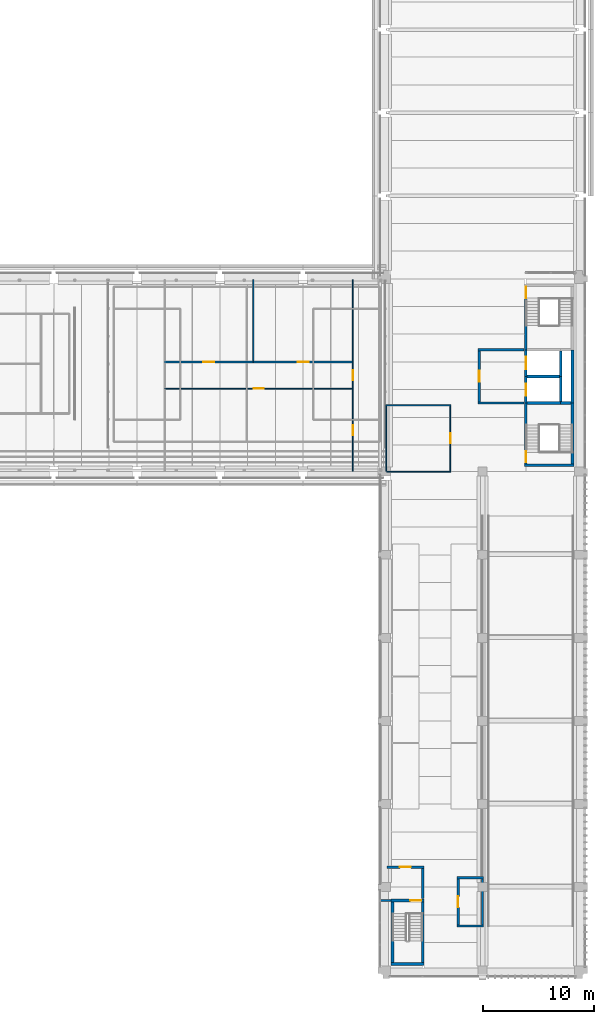
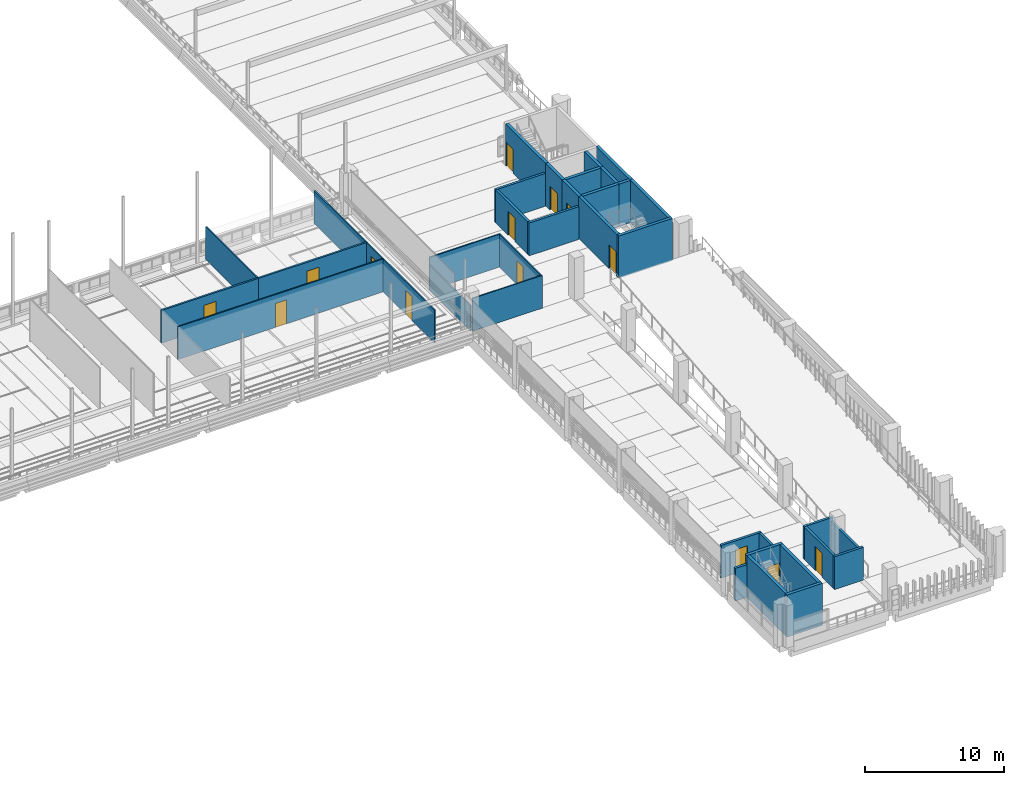
# One storey, part 45 of 62: 37 walls, 14 doors, 14 openings.
"""IFC4 building model written with IfcOpenShell, lengths in metres."""

from ifc_helpers import new_model, si_unit, direction, frame, frame_2d, origin, place, context, subcontext, project, spatial, rectangle, extrude, material, layer, layer_set, type_object, element, fill, save


model = new_model("IFC4")

# Units and contexts
model_context = context("Model", 3, precision=1e-05, world=origin(), true_north=direction((0.0, 1.0)))
body_context = subcontext(model_context, "Body", "Model", "MODEL_VIEW")
ifc_project = project(units=[si_unit("LENGTHUNIT", "METRE"), si_unit("AREAUNIT", "SQUARE_METRE"), si_unit("VOLUMEUNIT", "CUBIC_METRE"), si_unit("PLANEANGLEUNIT", "RADIAN"), si_unit("MASSUNIT", "GRAM", prefix="KILO")], contexts=[model_context])

# Site, building, storey
site_placement = place(None, origin())
site = spatial("IfcSite", under=ifc_project, at=site_placement, CompositionType="ELEMENT")
building_placement = place(site_placement, origin())
building = spatial("IfcBuilding", under=site, at=building_placement, Name="Cour d'Honneur Mobility Palace", CompositionType="ELEMENT")
storey_placement = place(building_placement, frame((0.0, 0.0, 19.300048828125)))
storey = spatial("IfcBuildingStorey", under=building, at=storey_placement, Name="L05", CompositionType="ELEMENT", Elevation=19.300048828125)

# Wall
ifc_material_1 = material(Name="Concrete C50", Category="concrete")
ifc_layer_1 = layer(ifc_material_1, 0.25)
ifc_layer_set_1 = layer_set([ifc_layer_1], Name="Concrete C50")
wall_type_1 = type_object("IfcWallType", Name="Lift shaft wall 250", PredefinedType="SHEAR", material=ifc_layer_set_1)
wall_1_placement = place(storey_placement, frame((157.625, 53.60009765625, 0.0), z_axis=(0.0, 0.0, 1.0), x_axis=(1.0, 0.0, 0.0)))
element("IfcWall", 1, at=wall_1_placement, inside=storey, type_object=wall_type_1, Name="Lift shaft wall WL-CE4 L05", PredefinedType="SHEAR", context=body_context, shape_type="SweptSolid", body=[
    extrude(rectangle(XDim=2.89990234375, YDim=0.25, at=frame_2d((1.449951171875, 0.0))), origin(), (0.0, 0.0, 1.0), 3.699951171875),
])

# Wall, opening, door
wall_2_placement = place(storey_placement, frame((157.5, 51.199951171875, 0.0), z_axis=(0.0, 0.0, 1.0), x_axis=(0.0, 1.0, 0.0)))
wall_2 = element("IfcWall", 2, at=wall_2_placement, inside=storey, type_object=wall_type_1, Name="Lift shaft wall WL-CE9 L05", PredefinedType="SHEAR", context=body_context, shape_type="SweptSolid", body=[
    extrude(rectangle(XDim=2.400146484375, YDim=0.25, at=frame_2d((1.2001953125, 0.0))), origin(), (0.0, 0.0, 1.0), 3.699951171875),
])
opening_1_placement = place(wall_2_placement, frame((0.64990234375, 0.0, 0.0)))
opening_1 = element("IfcOpeningElement", 3, at=opening_1_placement, cuts=wall_2, Name="Opening LD26", PredefinedType="OPENING", context=body_context, shape_type="SweptSolid", body=[
    extrude(rectangle(XDim=1.10009765625, YDim=2.10009765625, at=frame_2d((0.550048828125, 1.050048828125))), frame((0.0, 0.135009765625, 0.0), z_axis=(0.0, -1.0, 0.0), x_axis=(1.0, 0.0, 0.0)), (0.0, 0.0, 1.0), 0.27001953125),
])
ifc_material_2 = material(Name="Stainless steel", Category="steel")
door_type_1 = type_object("IfcDoorType", Name="Landing door 1100 x 2100", OperationType="SLIDING_TO_LEFT", PredefinedType="DOOR", material=ifc_material_2)
door_1_placement = place(opening_1_placement, origin())
door_1 = element("IfcDoor", 4, at=door_1_placement, inside=storey, type_object=door_type_1, Name="Landing door LF-CE1 L05", OperationType="SLIDING_TO_LEFT", OverallHeight=2.10009765625, OverallWidth=1.10009765625, PredefinedType="DOOR", context=body_context, shape_type="SweptSolid", body=[
    extrude(rectangle(XDim=1.10009765625, YDim=2.10009765625, at=frame_2d((0.550048828125, 1.050048828125))), frame((0.0, 0.02490234375, 0.0), z_axis=(0.0, -1.0, 0.0), x_axis=(1.0, 0.0, 0.0)), (0.0, 0.0, 1.0), 0.050048828125),
])
fill(opening_1, door_1)

wall_3_placement = place(storey_placement, frame((157.5, 53.60009765625, 0.0), z_axis=(0.0, 0.0, 1.0), x_axis=(0.0, 1.0, 0.0)))
wall_3 = element("IfcWall", 5, at=wall_3_placement, inside=storey, type_object=wall_type_1, Name="Lift shaft wall WL-CE10 L05", PredefinedType="SHEAR", context=body_context, shape_type="SweptSolid", body=[
    extrude(rectangle(XDim=2.39990234375, YDim=0.25, at=frame_2d((1.199951171875, 0.0))), origin(), (0.0, 0.0, 1.0), 3.699951171875),
])
opening_2_placement = place(wall_3_placement, frame((0.64990234375, 0.0, 0.0)))
opening_2 = element("IfcOpeningElement", 6, at=opening_2_placement, cuts=wall_3, Name="Opening LD36", PredefinedType="OPENING", context=body_context, shape_type="SweptSolid", body=[
    extrude(rectangle(XDim=1.10009765625, YDim=2.10009765625, at=frame_2d((0.550048828125, 1.050048828125))), frame((0.0, 0.135009765625, 0.0), z_axis=(0.0, -1.0, 0.0), x_axis=(1.0, 0.0, 0.0)), (0.0, 0.0, 1.0), 0.27001953125),
])
door_2_placement = place(opening_2_placement, origin())
door_2 = element("IfcDoor", 7, at=door_2_placement, inside=storey, type_object=door_type_1, Name="Landing door LF-CE2 L05", OperationType="SLIDING_TO_LEFT", OverallHeight=2.10009765625, OverallWidth=1.10009765625, PredefinedType="DOOR", context=body_context, shape_type="SweptSolid", body=[
    extrude(rectangle(XDim=1.10009765625, YDim=2.10009765625, at=frame_2d((0.550048828125, 1.050048828125))), frame((0.0, 0.02490234375, 0.0), z_axis=(0.0, -1.0, 0.0), x_axis=(1.0, 0.0, 0.0)), (0.0, 0.0, 1.0), 0.050048828125),
])
fill(opening_2, door_2)

# Walls
wall_4_placement = place(storey_placement, frame((160.64990234375, 51.324951171875, 0.0), z_axis=(0.0, 0.0, 1.0), x_axis=(0.0, 1.0, 0.0)))
element("IfcWall", 8, at=wall_4_placement, inside=storey, type_object=wall_type_1, Name="Lift shaft wall WL-CE12 L05", PredefinedType="SHEAR", context=body_context, shape_type="SweptSolid", body=[
    extrude(rectangle(XDim=2.275146484375, YDim=0.25, at=frame_2d((1.1376953125, 0.0))), origin(), (0.0, 0.0, 1.0), 3.699951171875),
])
wall_5_placement = place(storey_placement, frame((160.64990234375, 53.60009765625, 0.0), z_axis=(0.0, 0.0, 1.0), x_axis=(0.0, 1.0, 0.0)))
element("IfcWall", 9, at=wall_5_placement, inside=storey, type_object=wall_type_1, Name="Lift shaft wall WL-CE13 L05", PredefinedType="SHEAR", context=body_context, shape_type="SweptSolid", body=[
    extrude(rectangle(XDim=2.27490234375, YDim=0.25, at=frame_2d((1.137451171875, 0.0))), origin(), (0.0, 0.0, 1.0), 3.699951171875),
])
ifc_material_3 = material(Name="Gypsum plasterboard")
ifc_layer_2 = layer(ifc_material_3, 0.10009765625)
ifc_layer_set_2 = layer_set([ifc_layer_2], Name="Gypsum plasterboard")
wall_type_2 = type_object("IfcWallType", Name="Partition 100", PredefinedType="PARTITIONING", material=ifc_layer_set_2)
wall_6_placement = place(storey_placement, frame((144.9599609375, 45.0, 0.0), z_axis=(0.0, 0.0, 1.0), x_axis=(1.0, 0.0, 0.0)))
element("IfcWall", 10, at=wall_6_placement, inside=storey, type_object=wall_type_2, Name="Partition 016", PredefinedType="PARTITIONING", context=body_context, shape_type="SweptSolid", body=[
    extrude(rectangle(XDim=5.7900390625, YDim=0.10009765625, at=frame_2d((2.89501953125, 0.0))), origin(), (0.0, 0.0, 1.0), 2.8798828125),
])

# Wall, opening, door
wall_7_placement = place(storey_placement, frame((150.699951171875, 45.050048828125, 0.0), z_axis=(0.0, 0.0, 1.0), x_axis=(0.0, 1.0, 0.0)))
wall_7 = element("IfcWall", 11, at=wall_7_placement, inside=storey, type_object=wall_type_2, Name="Partition 017", PredefinedType="PARTITIONING", context=body_context, shape_type="SweptSolid", body=[
    extrude(rectangle(XDim=5.89990234375, YDim=0.10009765625, at=frame_2d((2.949951171875, 0.0))), origin(), (0.0, 0.0, 1.0), 2.8798828125),
])
opening_3_placement = place(wall_7_placement, frame((2.5, 0.0, 0.0)))
opening_3 = element("IfcOpeningElement", 12, at=opening_3_placement, cuts=wall_7, Name="Opening D0512", PredefinedType="OPENING", context=body_context, shape_type="SweptSolid", body=[
    extrude(rectangle(XDim=0.89990234375, YDim=2.10009765625, at=frame_2d((0.449951171875, 1.050048828125))), frame((0.0, 0.06005859375, 0.0), z_axis=(0.0, -1.0, 0.0), x_axis=(1.0, 0.0, 0.0)), (0.0, 0.0, 1.0), 0.1201171875),
])
ifc_material_4 = material(Name="Solid timber", Category="wood")
door_type_2 = type_object("IfcDoorType", Name="Single door 900 x 2100", OperationType="SINGLE_SWING_LEFT", PredefinedType="DOOR", material=ifc_material_4)
door_3_placement = place(opening_3_placement, origin())
door_3 = element("IfcDoor", 13, at=door_3_placement, inside=storey, type_object=door_type_2, Name="Door First Aid Post", OperationType="SINGLE_SWING_RIGHT", OverallHeight=2.10009765625, OverallWidth=0.89990234375, PredefinedType="DOOR", context=body_context, shape_type="SweptSolid", body=[
    extrude(rectangle(XDim=0.89990234375, YDim=2.10009765625, at=frame_2d((0.449951171875, 1.050048828125))), frame((0.0, 0.02490234375, 0.0), z_axis=(0.0, -1.0, 0.0), x_axis=(1.0, 0.0, 0.0)), (0.0, 0.0, 1.0), 0.050048828125),
])
fill(opening_3, door_3)

wall_8_placement = place(storey_placement, frame((141.89990234375, 45.06005859375, 0.0), z_axis=(0.0, 0.0, 1.0), x_axis=(0.0, 1.0, 0.0)))
wall_8 = element("IfcWall", 14, at=wall_8_placement, inside=storey, type_object=wall_type_2, Name="Partition 023", PredefinedType="PARTITIONING", context=body_context, shape_type="SweptSolid", body=[
    extrude(rectangle(XDim=7.389892578125, YDim=0.10009765625, at=frame_2d((3.69482421875, 0.0))), origin(), (0.0, 0.0, 1.0), 2.8798828125),
])
opening_4_placement = place(wall_8_placement, frame((3.2451171875, 0.0, 0.0)))
opening_4 = element("IfcOpeningElement", 15, at=opening_4_placement, cuts=wall_8, Name="Opening D0528", PredefinedType="OPENING", context=body_context, shape_type="SweptSolid", body=[
    extrude(rectangle(XDim=0.89990234375, YDim=2.10009765625, at=frame_2d((0.449951171875, 1.050048828125))), frame((0.0, 0.06005859375, 0.0), z_axis=(0.0, -1.0, 0.0), x_axis=(1.0, 0.0, 0.0)), (0.0, 0.0, 1.0), 0.1201171875),
])
door_4_placement = place(opening_4_placement, frame((0.89990234375, 0.0, 0.0), z_axis=(0.0, 0.0, 1.0), x_axis=(-1.0, 0.0, 0.0)))
door_4 = element("IfcDoor", 16, at=door_4_placement, inside=storey, type_object=door_type_2, Name="Door Sports Cafe", OperationType="SINGLE_SWING_RIGHT", OverallHeight=2.10009765625, OverallWidth=0.89990234375, PredefinedType="DOOR", context=body_context, shape_type="SweptSolid", body=[
    extrude(rectangle(XDim=0.89990234375, YDim=2.10009765625, at=frame_2d((0.449951171875, 1.050048828125))), frame((0.0, 0.02490234375, 0.0), z_axis=(0.0, -1.0, 0.0), x_axis=(1.0, 0.0, 0.0)), (0.0, 0.0, 1.0), 0.050048828125),
])
fill(opening_4, door_4)

# Wall
wall_9_placement = place(storey_placement, frame((150.75, 51.0, 0.0), z_axis=(0.0, 0.0, 1.0), x_axis=(-1.0, 0.0, 0.0)))
element("IfcWall", 17, at=wall_9_placement, inside=storey, type_object=wall_type_2, Name="Partition 032", PredefinedType="PARTITIONING", context=body_context, shape_type="SweptSolid", body=[
    extrude(rectangle(XDim=5.89990234375, YDim=0.10009765625, at=frame_2d((2.949951171875, 0.0))), origin(), (0.0, 0.0, 1.0), 2.8798828125),
])

# Wall, opening, door
wall_10_placement = place(storey_placement, frame((124.85009765625, 52.5, 0.0), z_axis=(0.0, 0.0, 1.0), x_axis=(1.0, 0.0, 0.0)))
wall_10 = element("IfcWall", 18, at=wall_10_placement, inside=storey, type_object=wall_type_2, Name="Partition 043", PredefinedType="PARTITIONING", context=body_context, shape_type="SweptSolid", body=[
    extrude(rectangle(XDim=17.099853515625, YDim=0.10009765625, at=frame_2d((8.5498046875, 0.0))), origin(), (0.0, 0.0, 1.0), 2.8798828125),
])
opening_5_placement = place(wall_10_placement, frame((8.10009765625, 0.0, 0.0)))
opening_5 = element("IfcOpeningElement", 19, at=opening_5_placement, cuts=wall_10, Name="Opening D0527", PredefinedType="OPENING", context=body_context, shape_type="SweptSolid", body=[
    extrude(rectangle(XDim=0.89990234375, YDim=2.10009765625, at=frame_2d((0.449951171875, 1.050048828125))), frame((0.0, 0.06005859375, 0.0), z_axis=(0.0, -1.0, 0.0), x_axis=(1.0, 0.0, 0.0)), (0.0, 0.0, 1.0), 0.1201171875),
])
door_5_placement = place(opening_5_placement, origin())
door_5 = element("IfcDoor", 20, at=door_5_placement, inside=storey, type_object=door_type_2, Name="Door Sports Cafe", OperationType="SINGLE_SWING_LEFT", OverallHeight=2.10009765625, OverallWidth=0.89990234375, PredefinedType="DOOR", context=body_context, shape_type="SweptSolid", body=[
    extrude(rectangle(XDim=0.89990234375, YDim=2.10009765625, at=frame_2d((0.449951171875, 1.050048828125))), frame((0.0, 0.02490234375, 0.0), z_axis=(0.0, -1.0, 0.0), x_axis=(1.0, 0.0, 0.0)), (0.0, 0.0, 1.0), 0.050048828125),
])
fill(opening_5, door_5)

wall_11_placement = place(storey_placement, frame((141.89990234375, 52.550048828125, 0.0), z_axis=(0.0, 0.0, 1.0), x_axis=(0.0, 1.0, 0.0)))
wall_11 = element("IfcWall", 21, at=wall_11_placement, inside=storey, type_object=wall_type_2, Name="Partition 044", PredefinedType="PARTITIONING", context=body_context, shape_type="SweptSolid", body=[
    extrude(rectangle(XDim=2.27490234375, YDim=0.10009765625, at=frame_2d((1.137451171875, 0.0))), origin(), (0.0, 0.0, 1.0), 2.8798828125),
])
opening_6_placement = place(wall_11_placement, frame((0.6875, 0.0, 0.0)))
opening_6 = element("IfcOpeningElement", 22, at=opening_6_placement, cuts=wall_11, Name="Opening D0526", PredefinedType="OPENING", context=body_context, shape_type="SweptSolid", body=[
    extrude(rectangle(XDim=0.89990234375, YDim=2.10009765625, at=frame_2d((0.449951171875, 1.050048828125))), frame((0.0, 0.06005859375, 0.0), z_axis=(0.0, -1.0, 0.0), x_axis=(1.0, 0.0, 0.0)), (0.0, 0.0, 1.0), 0.1201171875),
])
door_6_placement = place(opening_6_placement, frame((0.89990234375, 0.0, 0.0), z_axis=(0.0, 0.0, 1.0), x_axis=(-1.0, 0.0, 0.0)))
door_6 = element("IfcDoor", 23, at=door_6_placement, inside=storey, type_object=door_type_2, Name="Door Sports Foyer East", OperationType="SINGLE_SWING_LEFT", OverallHeight=2.10009765625, OverallWidth=0.89990234375, PredefinedType="DOOR", context=body_context, shape_type="SweptSolid", body=[
    extrude(rectangle(XDim=0.89990234375, YDim=2.10009765625, at=frame_2d((0.449951171875, 1.050048828125))), frame((0.0, 0.02490234375, 0.0), z_axis=(0.0, -1.0, 0.0), x_axis=(1.0, 0.0, 0.0)), (0.0, 0.0, 1.0), 0.050048828125),
])
fill(opening_6, door_6)

# Walls
for number, where, z_axis, x_axis, name in (
    (24, (132.89990234375, 54.97509765625, 0.0), (0.0, 0.0, 1.0), (0.0, 1.0, 0.0), "Partition 062"),
    (25, (141.89990234375, 54.97509765625, 0.0), (0.0, 0.0, 1.0), (0.0, 1.0, 0.0), "Partition 064"),
):
    element("IfcWall", number, at=place(storey_placement, frame(where, z_axis=z_axis, x_axis=x_axis)), inside=storey, type_object=wall_type_2, Name=name, PredefinedType="PARTITIONING", context=body_context, shape_type="SweptSolid", body=[
        extrude(rectangle(XDim=7.364990234375, YDim=0.10009765625, at=frame_2d((3.6826171875, 0.0))), origin(), (0.0, 0.0, 1.0), 2.8798828125),
    ])
ifc_material_5 = material(Name="Gypsum plasterboard")
ifc_layer_3 = layer(ifc_material_5, 0.10009765625)
ifc_layer_set_3 = layer_set([ifc_layer_3], Name="Gypsum plasterboard")
wall_type_3 = type_object("IfcWallType", Name="Partition 100 under beam 1500", PredefinedType="PARTITIONING", material=ifc_layer_set_3)
wall_12_placement = place(storey_placement, frame((144.89990234375, 50.949951171875, 0.0), z_axis=(0.0, 0.0, 1.0), x_axis=(0.0, -1.0, 0.0)))
element("IfcWall", 26, at=wall_12_placement, inside=storey, type_object=wall_type_3, Name="Partition 031", PredefinedType="PARTITIONING", context=body_context, shape_type="SweptSolid", body=[
    extrude(rectangle(XDim=5.889892578125, YDim=0.10009765625, at=frame_2d((2.94482421875, 0.0))), origin(), (0.0, 0.0, 1.0), 2.199951171875),
])

# Wall, opening, door
ifc_material_6 = material(Name="Gypsum plasterboard")
ifc_layer_4 = layer(ifc_material_6, 0.14990234375)
ifc_layer_set_4 = layer_set([ifc_layer_4], Name="Gypsum plasterboard")
wall_type_4 = type_object("IfcWallType", Name="Partition 150 rated EI 60", PredefinedType="PARTITIONING", material=ifc_layer_set_4)
wall_13_placement = place(storey_placement, frame((132.89990234375, 54.89990234375, 0.0), z_axis=(0.0, 0.0, 1.0), x_axis=(-1.0, 0.0, 0.0)))
wall_13 = element("IfcWall", 27, at=wall_13_placement, inside=storey, type_object=wall_type_4, Name="Partition 061", PredefinedType="PARTITIONING", context=body_context, shape_type="SweptSolid", body=[
    extrude(rectangle(XDim=8.0498046875, YDim=0.14990234375, at=frame_2d((4.02490234375, 0.0))), origin(), (0.0, 0.0, 1.0), 2.8798828125),
])
opening_7_placement = place(wall_13_placement, frame((3.52490234375, 0.0, 0.0)))
opening_7 = element("IfcOpeningElement", 28, at=opening_7_placement, cuts=wall_13, Name="Opening D0529", PredefinedType="OPENING", context=body_context, shape_type="SweptSolid", body=[
    extrude(rectangle(XDim=1.0, YDim=2.10009765625, at=frame_2d((0.5, 1.050048828125))), frame((0.0, 0.0849609375, 0.0), z_axis=(0.0, -1.0, 0.0), x_axis=(1.0, 0.0, 0.0)), (0.0, 0.0, 1.0), 0.169921875),
])
ifc_material_7 = material(Name="Galvanised steel", Category="steel")
door_type_3 = type_object("IfcDoorType", Name="Fire door FD60 1000 x 2100", OperationType="SINGLE_SWING_LEFT", PredefinedType="DOOR", material=ifc_material_7)
door_7_placement = place(opening_7_placement, origin())
door_7 = element("IfcDoor", 29, at=door_7_placement, inside=storey, type_object=door_type_3, Name="Door Cafe Store", OperationType="SINGLE_SWING_RIGHT", OverallHeight=2.10009765625, OverallWidth=1.0, PredefinedType="DOOR", context=body_context, shape_type="SweptSolid", body=[
    extrude(rectangle(XDim=1.0, YDim=2.10009765625, at=frame_2d((0.5, 1.050048828125))), frame((0.0, 0.02490234375, 0.0), z_axis=(0.0, -1.0, 0.0), x_axis=(1.0, 0.0, 0.0)), (0.0, 0.0, 1.0), 0.050048828125),
])
fill(opening_7, door_7)

wall_14_placement = place(storey_placement, frame((141.949951171875, 54.89990234375, 0.0), z_axis=(0.0, 0.0, 1.0), x_axis=(-1.0, 0.0, 0.0)))
wall_14 = element("IfcWall", 30, at=wall_14_placement, inside=storey, type_object=wall_type_4, Name="Partition 063", PredefinedType="PARTITIONING", context=body_context, shape_type="SweptSolid", body=[
    extrude(rectangle(XDim=9.050048828125, YDim=0.14990234375, at=frame_2d((4.52490234375, 0.0))), origin(), (0.0, 0.0, 1.0), 2.8798828125),
])
opening_8_placement = place(wall_14_placement, frame((4.02490234375, 0.0, 0.0)))
opening_8 = element("IfcOpeningElement", 31, at=opening_8_placement, cuts=wall_14, Name="Opening D0530", PredefinedType="OPENING", context=body_context, shape_type="SweptSolid", body=[
    extrude(rectangle(XDim=1.0, YDim=2.10009765625, at=frame_2d((0.5, 1.050048828125))), frame((0.0, 0.0849609375, 0.0), z_axis=(0.0, -1.0, 0.0), x_axis=(1.0, 0.0, 0.0)), (0.0, 0.0, 1.0), 0.169921875),
])
door_8_placement = place(opening_8_placement, origin())
door_8 = element("IfcDoor", 32, at=door_8_placement, inside=storey, type_object=door_type_3, Name="Door Sports Lounge", OperationType="SINGLE_SWING_LEFT", OverallHeight=2.10009765625, OverallWidth=1.0, PredefinedType="DOOR", context=body_context, shape_type="SweptSolid", body=[
    extrude(rectangle(XDim=1.0, YDim=2.10009765625, at=frame_2d((0.5, 1.050048828125))), frame((0.0, 0.02490234375, 0.0), z_axis=(0.0, -1.0, 0.0), x_axis=(1.0, 0.0, 0.0)), (0.0, 0.0, 1.0), 0.050048828125),
])
fill(opening_8, door_8)

# Walls
ifc_material_8 = material(Name="Gypsum plasterboard")
ifc_layer_5 = layer(ifc_material_8, 0.199951171875)
ifc_layer_set_5 = layer_set([ifc_layer_5], Name="Gypsum plasterboard")
wall_type_5 = type_object("IfcWallType", Name="Partition 200 rated EI 120", PredefinedType="PARTITIONING", material=ifc_layer_set_5)
wall_15_placement = place(storey_placement, frame((151.300048828125, 4.0, 0.0), z_axis=(0.0, 0.0, 1.0), x_axis=(1.0, 0.0, 0.0)))
element("IfcWall", 33, at=wall_15_placement, inside=storey, type_object=wall_type_5, Name="Partition 003", PredefinedType="PARTITIONING", context=body_context, shape_type="SweptSolid", body=[
    extrude(rectangle(XDim=2.39990234375, YDim=0.199951171875, at=frame_2d((1.199951171875, 0.0))), origin(), (0.0, 0.0, 1.0), 2.8798828125),
])
wall_16_placement = place(storey_placement, frame((144.39990234375, 6.300048828125, 0.0), z_axis=(0.0, 0.0, 1.0), x_axis=(1.0, 0.0, 0.0)))
element("IfcWall", 34, at=wall_16_placement, inside=storey, type_object=wall_type_5, Name="Partition 006", PredefinedType="PARTITIONING", context=body_context, shape_type="SweptSolid", body=[
    extrude(rectangle(XDim=0.9501953125, YDim=0.199951171875, at=frame_2d((0.47509765625, 0.0))), origin(), (0.0, 0.0, 1.0), 2.8798828125),
])
wall_17_placement = place(storey_placement, frame((148.199951171875, 6.47509765625, 0.0), z_axis=(0.0, 0.0, 1.0), x_axis=(0.0, 1.0, 0.0)))
element("IfcWall", 35, at=wall_17_placement, inside=storey, type_object=wall_type_5, Name="Partition 007", PredefinedType="PARTITIONING", context=body_context, shape_type="SweptSolid", body=[
    extrude(rectangle(XDim=2.724853515625, YDim=0.199951171875, at=frame_2d((1.3623046875, 0.0))), origin(), (0.0, 0.0, 1.0), 2.8798828125),
])

# Wall, opening, door
wall_18_placement = place(storey_placement, frame((151.39990234375, 8.25, 0.0), z_axis=(0.0, 0.0, 1.0), x_axis=(0.0, -1.0, 0.0)))
wall_18 = element("IfcWall", 36, at=wall_18_placement, inside=storey, type_object=wall_type_5, Name="Partition 010", PredefinedType="PARTITIONING", context=body_context, shape_type="SweptSolid", body=[
    extrude(rectangle(XDim=4.14990234375, YDim=0.199951171875, at=frame_2d((2.074951171875, 0.0))), origin(), (0.0, 0.0, 1.0), 2.8798828125),
])
opening_9_placement = place(wall_18_placement, frame((1.574951171875, 0.0, 0.0)))
opening_9 = element("IfcOpeningElement", 37, at=opening_9_placement, cuts=wall_18, Name="Opening D0510", PredefinedType="OPENING", context=body_context, shape_type="SweptSolid", body=[
    extrude(rectangle(XDim=1.0, YDim=2.10009765625, at=frame_2d((0.5, 1.050048828125))), frame((0.0, 0.10986328125, 0.0), z_axis=(0.0, -1.0, 0.0), x_axis=(1.0, 0.0, 0.0)), (0.0, 0.0, 1.0), 0.219970703125),
])
ifc_material_9 = material(Name="Galvanised steel", Category="steel")
door_type_4 = type_object("IfcDoorType", Name="Fire door FD120 1000 x 2100", OperationType="SINGLE_SWING_LEFT", PredefinedType="DOOR", material=ifc_material_9)
door_9_placement = place(opening_9_placement, origin())
door_9 = element("IfcDoor", 38, at=door_9_placement, inside=storey, type_object=door_type_4, Name="Door EV Switch Room East", OperationType="SINGLE_SWING_RIGHT", OverallHeight=2.10009765625, OverallWidth=1.0, PredefinedType="DOOR", context=body_context, shape_type="SweptSolid", body=[
    extrude(rectangle(XDim=1.0, YDim=2.10009765625, at=frame_2d((0.5, 1.050048828125))), frame((0.0, 0.02490234375, 0.0), z_axis=(0.0, -1.0, 0.0), x_axis=(1.0, 0.0, 0.0)), (0.0, 0.0, 1.0), 0.050048828125),
])
fill(opening_9, door_9)

# Wall
wall_19_placement = place(storey_placement, frame((153.699951171875, 8.35009765625, 0.0), z_axis=(0.0, 0.0, 1.0), x_axis=(-1.0, 0.0, 0.0)))
element("IfcWall", 39, at=wall_19_placement, inside=storey, type_object=wall_type_5, Name="Partition 011", PredefinedType="PARTITIONING", context=body_context, shape_type="SweptSolid", body=[
    extrude(rectangle(XDim=2.39990234375, YDim=0.199951171875, at=frame_2d((1.199951171875, 0.0))), origin(), (0.0, 0.0, 1.0), 2.8798828125),
])

# Wall, opening, door
wall_20_placement = place(storey_placement, frame((148.300048828125, 9.300048828125, 0.0), z_axis=(0.0, 0.0, 1.0), x_axis=(-1.0, 0.0, 0.0)))
wall_20 = element("IfcWall", 40, at=wall_20_placement, inside=storey, type_object=wall_type_5, Name="Partition 014", PredefinedType="PARTITIONING", context=body_context, shape_type="SweptSolid", body=[
    extrude(rectangle(XDim=3.340087890625, YDim=0.199951171875, at=frame_2d((1.669921875, 0.0))), origin(), (0.0, 0.0, 1.0), 2.8798828125),
])
opening_10_placement = place(wall_20_placement, frame((1.169921875, 0.0, 0.0)))
opening_10 = element("IfcOpeningElement", 41, at=opening_10_placement, cuts=wall_20, Name="Opening D0508", PredefinedType="OPENING", context=body_context, shape_type="SweptSolid", body=[
    extrude(rectangle(XDim=1.0, YDim=2.10009765625, at=frame_2d((0.5, 1.050048828125))), frame((0.0, 0.10986328125, 0.0), z_axis=(0.0, -1.0, 0.0), x_axis=(1.0, 0.0, 0.0)), (0.0, 0.0, 1.0), 0.219970703125),
])
door_10_placement = place(opening_10_placement, origin())
door_10 = element("IfcDoor", 42, at=door_10_placement, inside=storey, type_object=door_type_4, Name="Door Stair Lobby RE", OperationType="SINGLE_SWING_RIGHT", OverallHeight=2.10009765625, OverallWidth=1.0, PredefinedType="DOOR", context=body_context, shape_type="SweptSolid", body=[
    extrude(rectangle(XDim=1.0, YDim=2.10009765625, at=frame_2d((0.5, 1.050048828125))), frame((0.0, 0.02490234375, 0.0), z_axis=(0.0, -1.0, 0.0), x_axis=(1.0, 0.0, 0.0)), (0.0, 0.0, 1.0), 0.050048828125),
])
fill(opening_10, door_10)

# Wall
wall_21_placement = place(storey_placement, frame((153.199951171875, 51.199951171875, 0.0), z_axis=(0.0, 0.0, 1.0), x_axis=(1.0, 0.0, 0.0)))
element("IfcWall", 43, at=wall_21_placement, inside=storey, type_object=wall_type_5, Name="Partition 035", PredefinedType="PARTITIONING", context=body_context, shape_type="SweptSolid", body=[
    extrude(rectangle(XDim=4.125, YDim=0.199951171875, at=frame_2d((2.0625, 0.0))), origin(), (0.0, 0.0, 1.0), 2.8798828125),
])

# Wall, opening, door
wall_22_placement = place(storey_placement, frame((153.300048828125, 55.89990234375, 0.0), z_axis=(0.0, 0.0, 1.0), x_axis=(0.0, -1.0, 0.0)))
wall_22 = element("IfcWall", 44, at=wall_22_placement, inside=storey, type_object=wall_type_5, Name="Partition 066", PredefinedType="PARTITIONING", context=body_context, shape_type="SweptSolid", body=[
    extrude(rectangle(XDim=4.599853515625, YDim=0.199951171875, at=frame_2d((2.2998046875, 0.0))), origin(), (0.0, 0.0, 1.0), 2.8798828125),
])
opening_11_placement = place(wall_22_placement, frame((1.800048828125, 0.0, 0.0)))
opening_11 = element("IfcOpeningElement", 45, at=opening_11_placement, cuts=wall_22, Name="Opening D0531", PredefinedType="OPENING", context=body_context, shape_type="SweptSolid", body=[
    extrude(rectangle(XDim=1.0, YDim=2.10009765625, at=frame_2d((0.5, 1.050048828125))), frame((0.0, 0.10986328125, 0.0), z_axis=(0.0, -1.0, 0.0), x_axis=(1.0, 0.0, 0.0)), (0.0, 0.0, 1.0), 0.219970703125),
])
door_11_placement = place(opening_11_placement, origin())
door_11 = element("IfcDoor", 46, at=door_11_placement, inside=storey, type_object=door_type_4, Name="Door Firefighting Lobby CE", OperationType="SINGLE_SWING_LEFT", OverallHeight=2.10009765625, OverallWidth=1.0, PredefinedType="DOOR", context=body_context, shape_type="SweptSolid", body=[
    extrude(rectangle(XDim=1.0, YDim=2.10009765625, at=frame_2d((0.5, 1.050048828125))), frame((0.0, 0.02490234375, 0.0), z_axis=(0.0, -1.0, 0.0), x_axis=(1.0, 0.0, 0.0)), (0.0, 0.0, 1.0), 0.050048828125),
])
fill(opening_11, door_11)

# Walls
wall_23_placement = place(storey_placement, frame((157.324951171875, 56.0, 0.0), z_axis=(0.0, 0.0, 1.0), x_axis=(-1.0, 0.0, 0.0)))
element("IfcWall", 47, at=wall_23_placement, inside=storey, type_object=wall_type_5, Name="Partition 067", PredefinedType="PARTITIONING", context=body_context, shape_type="SweptSolid", body=[
    extrude(rectangle(XDim=4.125, YDim=0.199951171875, at=frame_2d((2.0625, 0.0))), origin(), (0.0, 0.0, 1.0), 2.8798828125),
])
ifc_material_10 = material(Name="Gypsum plasterboard")
ifc_layer_6 = layer(ifc_material_10, 0.199951171875)
ifc_layer_set_6 = layer_set([ifc_layer_6], Name="Gypsum plasterboard")
wall_type_6 = type_object("IfcWallType", Name="Partition 200 rated EI 120 under beam 1100", PredefinedType="PARTITIONING", material=ifc_layer_set_6)
wall_24_placement = place(storey_placement, frame((153.60009765625, 4.10009765625, 0.0), z_axis=(0.0, 0.0, 1.0), x_axis=(0.0, 1.0, 0.0)))
element("IfcWall", 48, at=wall_24_placement, inside=storey, type_object=wall_type_6, Name="Partition 004", PredefinedType="PARTITIONING", context=body_context, shape_type="SweptSolid", body=[
    extrude(rectangle(XDim=4.14990234375, YDim=0.199951171875, at=frame_2d((2.074951171875, 0.0))), origin(), (0.0, 0.0, 1.0), 2.599853515625),
])
ifc_material_11 = material(Name="Concrete C50", Category="concrete")
ifc_layer_7 = layer(ifc_material_11, 0.25)
ifc_layer_set_7 = layer_set([ifc_layer_7], Name="Concrete C50")
wall_type_7 = type_object("IfcWallType", Name="Shaft wall 250", PredefinedType="SHEAR", material=ifc_layer_set_7)
wall_25_placement = place(storey_placement, frame((161.72509765625, 51.199951171875, 0.0), z_axis=(0.0, 0.0, 1.0), x_axis=(0.0, 1.0, 0.0)))
element("IfcWall", 49, at=wall_25_placement, inside=storey, type_object=wall_type_7, Name="Shaft wall WR-CE15 L05", PredefinedType="SHEAR", context=body_context, shape_type="SweptSolid", body=[
    extrude(rectangle(XDim=4.800048828125, YDim=0.25, at=frame_2d((2.39990234375, 0.0))), origin(), (0.0, 0.0, 1.0), 3.699951171875),
])
ifc_material_12 = material(Name="Concrete C50", Category="concrete")
ifc_layer_8 = layer(ifc_material_12, 0.25)
ifc_layer_set_8 = layer_set([ifc_layer_8], Name="Concrete C50")
wall_type_8 = type_object("IfcWallType", Name="Stair wall 250", PredefinedType="SHEAR", material=ifc_layer_set_8)
wall_26_placement = place(storey_placement, frame((157.375, 45.574951171875, 0.0), z_axis=(0.0, 0.0, 1.0), x_axis=(1.0, 0.0, 0.0)))
element("IfcWall", 50, at=wall_26_placement, inside=storey, type_object=wall_type_8, Name="Stair wall WS-CE1 L05", PredefinedType="SHEAR", context=body_context, shape_type="SweptSolid", body=[
    extrude(rectangle(XDim=4.47509765625, YDim=0.25, at=frame_2d((2.237548828125, 0.0))), origin(), (0.0, 0.0, 1.0), 3.699951171875),
])
wall_27_placement = place(storey_placement, frame((157.625, 51.199951171875, 0.0), z_axis=(0.0, 0.0, 1.0), x_axis=(1.0, 0.0, 0.0)))
element("IfcWall", 51, at=wall_27_placement, inside=storey, type_object=wall_type_8, Name="Stair wall WS-CE2 L05", PredefinedType="SHEAR", context=body_context, shape_type="SweptSolid", body=[
    extrude(rectangle(XDim=3.02490234375, YDim=0.25, at=frame_2d((1.512451171875, 0.0))), origin(), (0.0, 0.0, 1.0), 3.699951171875),
])
wall_28_placement = place(storey_placement, frame((160.64990234375, 51.199951171875, 0.0), z_axis=(0.0, 0.0, 1.0), x_axis=(1.0, 0.0, 0.0)))
element("IfcWall", 52, at=wall_28_placement, inside=storey, type_object=wall_type_8, Name="Stair wall WS-CE3 L05", PredefinedType="SHEAR", context=body_context, shape_type="SweptSolid", body=[
    extrude(rectangle(XDim=0.9501953125, YDim=0.25, at=frame_2d((0.47509765625, 0.0))), origin(), (0.0, 0.0, 1.0), 3.699951171875),
])

# Wall, opening, door
wall_29_placement = place(storey_placement, frame((157.5, 45.699951171875, 0.0), z_axis=(0.0, 0.0, 1.0), x_axis=(0.0, 1.0, 0.0)))
wall_29 = element("IfcWall", 53, at=wall_29_placement, inside=storey, type_object=wall_type_8, Name="Stair wall WS-CE8 L05", PredefinedType="SHEAR", context=body_context, shape_type="SweptSolid", body=[
    extrude(rectangle(XDim=5.5, YDim=0.25, at=frame_2d((2.75, 0.0))), origin(), (0.0, 0.0, 1.0), 3.699951171875),
])
opening_12_placement = place(wall_29_placement, frame((0.14990234375, 0.0, 0.0)))
opening_12 = element("IfcOpeningElement", 54, at=opening_12_placement, cuts=wall_29, Name="Opening S144", PredefinedType="OPENING", context=body_context, shape_type="SweptSolid", body=[
    extrude(rectangle(XDim=1.0, YDim=2.10009765625, at=frame_2d((0.5, 1.050048828125))), frame((0.0, 0.135009765625, 0.0), z_axis=(0.0, -1.0, 0.0), x_axis=(1.0, 0.0, 0.0)), (0.0, 0.0, 1.0), 0.27001953125),
])
ifc_material_13 = material(Name="Galvanised steel", Category="steel")
door_type_5 = type_object("IfcDoorType", Name="Fire door FD120 stair 1000 x 2100", OperationType="SINGLE_SWING_LEFT", PredefinedType="DOOR", material=ifc_material_13)
door_12_placement = place(opening_12_placement, origin())
door_12 = element("IfcDoor", 55, at=door_12_placement, inside=storey, type_object=door_type_5, Name="Stair door ST-CE1 L05", OperationType="SINGLE_SWING_LEFT", OverallHeight=2.10009765625, OverallWidth=1.0, PredefinedType="DOOR", context=body_context, shape_type="SweptSolid", body=[
    extrude(rectangle(XDim=1.0, YDim=2.10009765625, at=frame_2d((0.5, 1.050048828125))), frame((0.0, 0.02490234375, 0.0), z_axis=(0.0, -1.0, 0.0), x_axis=(1.0, 0.0, 0.0)), (0.0, 0.0, 1.0), 0.050048828125),
])
fill(opening_12, door_12)

wall_30_placement = place(storey_placement, frame((157.5, 56.0, 0.0), z_axis=(0.0, 0.0, 1.0), x_axis=(0.0, 1.0, 0.0)))
wall_30 = element("IfcWall", 56, at=wall_30_placement, inside=storey, type_object=wall_type_8, Name="Stair wall WS-CE11 L05", PredefinedType="SHEAR", context=body_context, shape_type="SweptSolid", body=[
    extrude(rectangle(XDim=5.699951171875, YDim=0.25, at=frame_2d((2.85009765625, 0.0))), origin(), (0.0, 0.0, 1.0), 3.699951171875),
])
opening_13_placement = place(wall_30_placement, frame((4.675048828125, 0.0, 0.0)))
opening_13 = element("IfcOpeningElement", 57, at=opening_13_placement, cuts=wall_30, Name="Opening S80", PredefinedType="OPENING", context=body_context, shape_type="SweptSolid", body=[
    extrude(rectangle(XDim=1.0, YDim=2.10009765625, at=frame_2d((0.5, 1.050048828125))), frame((0.0, 0.135009765625, 0.0), z_axis=(0.0, -1.0, 0.0), x_axis=(1.0, 0.0, 0.0)), (0.0, 0.0, 1.0), 0.27001953125),
])
door_13_placement = place(opening_13_placement, origin())
door_13 = element("IfcDoor", 58, at=door_13_placement, inside=storey, type_object=door_type_5, Name="Stair door ST-CE2 L05", OperationType="SINGLE_SWING_RIGHT", OverallHeight=2.10009765625, OverallWidth=1.0, PredefinedType="DOOR", context=body_context, shape_type="SweptSolid", body=[
    extrude(rectangle(XDim=1.0, YDim=2.10009765625, at=frame_2d((0.5, 1.050048828125))), frame((0.0, 0.02490234375, 0.0), z_axis=(0.0, -1.0, 0.0), x_axis=(1.0, 0.0, 0.0)), (0.0, 0.0, 1.0), 0.050048828125),
])
fill(opening_13, door_13)

# Walls
wall_31_placement = place(storey_placement, frame((161.72509765625, 45.699951171875, 0.0), z_axis=(0.0, 0.0, 1.0), x_axis=(0.0, 1.0, 0.0)))
element("IfcWall", 59, at=wall_31_placement, inside=storey, type_object=wall_type_8, Name="Stair wall WS-CE14 L05", PredefinedType="SHEAR", context=body_context, shape_type="SweptSolid", body=[
    extrude(rectangle(XDim=5.5, YDim=0.25, at=frame_2d((2.75, 0.0))), origin(), (0.0, 0.0, 1.0), 3.699951171875),
])
wall_32_placement = place(storey_placement, frame((145.35009765625, 0.574951171875, 0.0), z_axis=(0.0, 0.0, 1.0), x_axis=(1.0, 0.0, 0.0)))
element("IfcWall", 60, at=wall_32_placement, inside=storey, type_object=wall_type_8, Name="Stair wall WS-RE1 L05", PredefinedType="SHEAR", context=body_context, shape_type="SweptSolid", body=[
    extrude(rectangle(XDim=2.974853515625, YDim=0.25, at=frame_2d((1.4873046875, 0.0))), origin(), (0.0, 0.0, 1.0), 3.699951171875),
])

# Wall, opening, door
wall_33_placement = place(storey_placement, frame((145.35009765625, 6.300048828125, 0.0), z_axis=(0.0, 0.0, 1.0), x_axis=(1.0, 0.0, 0.0)))
wall_33 = element("IfcWall", 61, at=wall_33_placement, inside=storey, type_object=wall_type_8, Name="Stair wall WS-RE2 L05", PredefinedType="SHEAR", context=body_context, shape_type="SweptSolid", body=[
    extrude(rectangle(XDim=2.974853515625, YDim=0.25, at=frame_2d((1.4873046875, 0.0))), origin(), (0.0, 0.0, 1.0), 3.699951171875),
])
opening_14_placement = place(wall_33_placement, frame((1.72509765625, 0.0, 0.0)))
opening_14 = element("IfcOpeningElement", 62, at=opening_14_placement, cuts=wall_33, Name="Opening S124", PredefinedType="OPENING", context=body_context, shape_type="SweptSolid", body=[
    extrude(rectangle(XDim=1.0, YDim=2.10009765625, at=frame_2d((0.5, 1.050048828125))), frame((0.0, 0.135009765625, 0.0), z_axis=(0.0, -1.0, 0.0), x_axis=(1.0, 0.0, 0.0)), (0.0, 0.0, 1.0), 0.27001953125),
])
door_14_placement = place(opening_14_placement, origin())
door_14 = element("IfcDoor", 63, at=door_14_placement, inside=storey, type_object=door_type_5, Name="Stair door ST-RE1 L05", OperationType="SINGLE_SWING_RIGHT", OverallHeight=2.10009765625, OverallWidth=1.0, PredefinedType="DOOR", context=body_context, shape_type="SweptSolid", body=[
    extrude(rectangle(XDim=1.0, YDim=2.10009765625, at=frame_2d((0.5, 1.050048828125))), frame((0.0, 0.02490234375, 0.0), z_axis=(0.0, -1.0, 0.0), x_axis=(1.0, 0.0, 0.0)), (0.0, 0.0, 1.0), 0.050048828125),
])
fill(opening_14, door_14)

# Walls
for number, where, z_axis, x_axis, name in (
    (64, (145.47509765625, 0.699951171875, 0.0), (0.0, 0.0, 1.0), (0.0, 1.0, 0.0), "Stair wall WS-RE3 L05"),
    (65, (148.199951171875, 0.699951171875, 0.0), (0.0, 0.0, 1.0), (0.0, 1.0, 0.0), "Stair wall WS-RE4 L05"),
):
    element("IfcWall", number, at=place(storey_placement, frame(where, z_axis=z_axis, x_axis=x_axis)), inside=storey, type_object=wall_type_8, Name=name, PredefinedType="SHEAR", context=body_context, shape_type="SweptSolid", body=[
        extrude(rectangle(XDim=5.47509765625, YDim=0.25, at=frame_2d((2.737548828125, 0.0))), origin(), (0.0, 0.0, 1.0), 3.699951171875),
    ])

save(model, "model.ifc")
